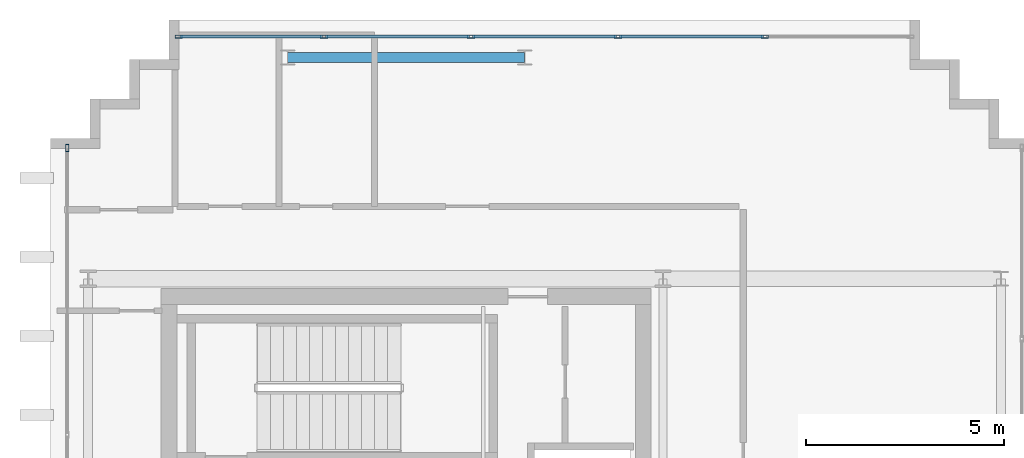
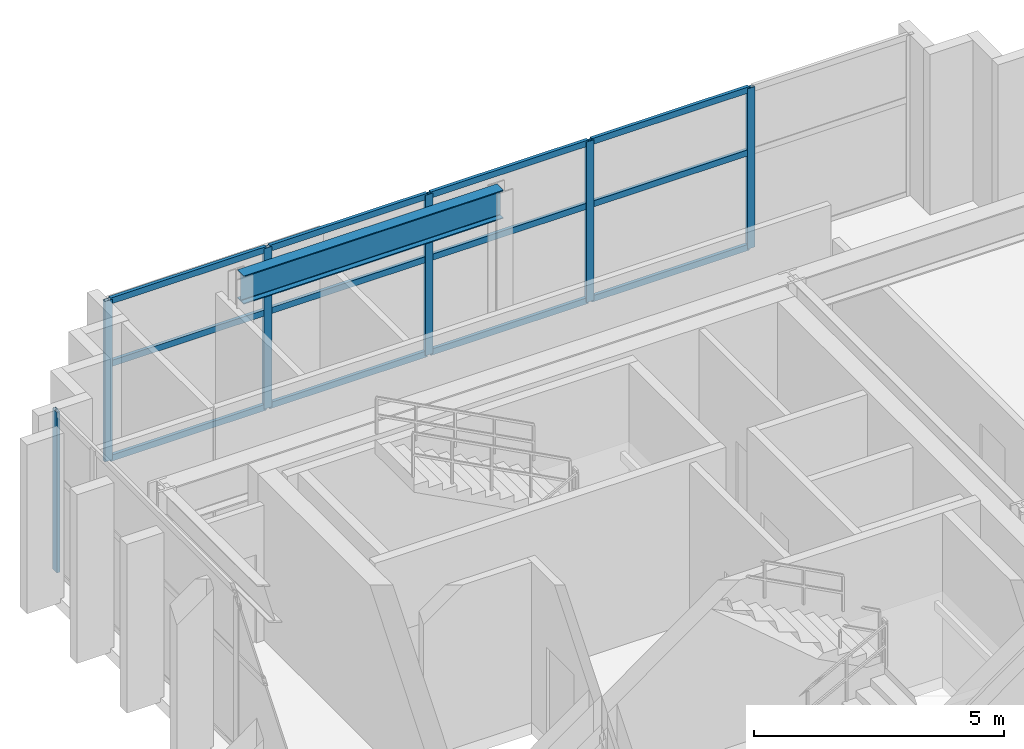
# One storey, part 8 of 14: 18 members, 1 beam, 2 elements without a shape of their own.
"""IFC4 building model written with IfcOpenShell, lengths in metres."""

from ifc_helpers import new_model, si_unit, direction, frame, origin, origin_2d, place, context, subcontext, project, spatial, hollow_rectangle, i_section, extrude, source, transform, mapped, material, layer, layer_set, material_profile, profile_set, type_object, element, aggregate, save


model = new_model("IFC4")

# Units and contexts
model_context = context("Model", 3, precision=1e-05, world=origin(), true_north=direction((0.0, 1.0)))
body_context = subcontext(model_context, "Body", "Model", "MODEL_VIEW")
ifc_project = project(units=[si_unit("LENGTHUNIT", "METRE"), si_unit("AREAUNIT", "SQUARE_METRE"), si_unit("VOLUMEUNIT", "CUBIC_METRE"), si_unit("PLANEANGLEUNIT", "RADIAN"), si_unit("MASSUNIT", "GRAM", prefix="KILO")], contexts=[model_context])

# Site, building, storey
site_placement = place(None, origin())
site = spatial("IfcSite", under=ifc_project, at=site_placement, CompositionType="ELEMENT")
building_placement = place(site_placement, origin())
building = spatial("IfcBuilding", under=site, at=building_placement, Name="Ocotamira Hotel", CompositionType="ELEMENT")
storey_placement = place(building_placement, frame((0.0, 0.0, 301.199951171875)))
storey = spatial("IfcBuildingStorey", under=building, at=storey_placement, Name="L77", CompositionType="ELEMENT", Elevation=301.199951171875)

# Beam
ifc_material_1 = material(Name="Steel ASTM A992 Grade 50", Category="steel")
ifc_material_profile_1 = material_profile(ifc_material_1, i_section(OverallWidth=0.256103515625, OverallDepth=0.693115234375, WebThickness=0.014404296875, FlangeThickness=0.023681640625, FilletRadius=0.01611328125, at=origin_2d()), Name="W27X114")
ifc_profile_set_1 = profile_set([ifc_material_profile_1], Name="Steel ASTM A992 Grade 50")
beam_type = type_object("IfcBeamType", Name="BM-PRIM-W27X114", PredefinedType="BEAM", material=ifc_profile_set_1)
shared_shape_1 = source(origin(), body_context, "Body", "SweptSolid", [
    extrude(i_section(OverallWidth=0.256103515625, OverallDepth=0.693115234375, WebThickness=0.014404296875, FlangeThickness=0.023681640625, FilletRadius=0.01611328125, at=origin_2d()), origin(), (0.0, 0.0, 1.0), 6.0),
])
beam_placement = place(storey_placement, frame((14.0, 43.050048828125, 3.573486328125), z_axis=(1.0, 0.0, 0.0), x_axis=(0.0, 1.0, 0.0)))
element("IfcBeam", 1, at=beam_placement, inside=storey, type_object=beam_type, Name="L77 Girder Y43.05 X14-20", PredefinedType="BEAM", context=body_context, shape_type="MappedRepresentation", body=[
    mapped(shared_shape_1, transform((0.0, 0.0, 0.0), scale=1.0)),
])

# Curtain wall, members
ifc_material_2 = material(Name="Anodised pale-metal aluminium and solar glass", Category="aluminium")
ifc_layer = layer(ifc_material_2, 0.2099609375)
ifc_layer_set = layer_set([ifc_layer], Name="Anodised pale-metal aluminium and solar glass")
curtain_wall_type = type_object("IfcCurtainWallType", Name="CW-SYS7-PEAK", PredefinedType="NOTDEFINED", material=ifc_layer_set)
curtain_wall_1_placement = place(storey_placement, origin())
curtain_wall_1 = element("IfcCurtainWall", 2, at=curtain_wall_1_placement, inside=storey, type_object=curtain_wall_type, Name="L77 Curtain Wall CW-7 CW-L77-N", PredefinedType="NOTDEFINED")
ifc_material_3 = material(Name="Anodised pale-metal aluminium 6063-T6", Category="aluminium")
ifc_material_profile_2 = material_profile(ifc_material_3, hollow_rectangle(XDim=0.074951171875, YDim=0.14990234375, WallThickness=0.006103515625, at=origin_2d()), Name="HSS150X75X6")
ifc_profile_set_2 = profile_set([ifc_material_profile_2], Name="Anodised pale-metal aluminium 6063-T6")
member_type_1 = type_object("IfcMemberType", Name="CWT-150X75", PredefinedType="USERDEFINED", material=ifc_profile_set_2)
shared_shape_2 = source(origin(), body_context, "Body", "SweptSolid", [
    extrude(hollow_rectangle(XDim=0.074951171875, YDim=0.14990234375, WallThickness=0.006103515625, at=origin_2d()), origin(), (0.0, 0.0, 1.0), 3.599853515625),
])
member_1_placement = place(storey_placement, frame((11.280029296875, 43.580078125, 0.03759765625), z_axis=(1.0, 0.0, 0.0), x_axis=(0.0, 1.0, 0.0)))
member_1 = element("IfcMember", 3, at=member_1_placement, type_object=member_type_1, Name="CW-7 transom 1.1", ObjectType="TRANSOM", PredefinedType="USERDEFINED", context=body_context, shape_type="MappedRepresentation", body=[
    mapped(shared_shape_2, transform((0.0, 0.0, 0.0), scale=1.0)),
])
member_2_placement = place(storey_placement, frame((11.280029296875, 43.580078125, 2.35009765625), z_axis=(1.0, 0.0, 0.0), x_axis=(0.0, 1.0, 0.0)))
member_2 = element("IfcMember", 4, at=member_2_placement, type_object=member_type_1, Name="CW-7 transom 1.2", ObjectType="TRANSOM", PredefinedType="USERDEFINED", context=body_context, shape_type="MappedRepresentation", body=[
    mapped(shared_shape_2, transform((0.0, 0.0, 0.0), scale=1.0)),
])
member_3_placement = place(storey_placement, frame((11.280029296875, 43.580078125, 3.882568359375), z_axis=(1.0, 0.0, 0.0), x_axis=(0.0, 1.0, 0.0)))
member_3 = element("IfcMember", 5, at=member_3_placement, type_object=member_type_1, Name="CW-7 transom 1.3", ObjectType="TRANSOM", PredefinedType="USERDEFINED", context=body_context, shape_type="MappedRepresentation", body=[
    mapped(shared_shape_2, transform((0.0, 0.0, 0.0), scale=1.0)),
])
shared_shape_3 = source(origin(), body_context, "Body", "SweptSolid", [
    extrude(hollow_rectangle(XDim=0.074951171875, YDim=0.14990234375, WallThickness=0.006103515625, at=origin_2d()), origin(), (0.0, 0.0, 1.0), 3.64013671875),
])
member_4_placement = place(storey_placement, frame((14.9599609375, 43.580078125, 0.03759765625), z_axis=(1.0, 0.0, 0.0), x_axis=(0.0, 1.0, 0.0)))
member_4 = element("IfcMember", 6, at=member_4_placement, type_object=member_type_1, Name="CW-7 transom 2.1", ObjectType="TRANSOM", PredefinedType="USERDEFINED", context=body_context, shape_type="MappedRepresentation", body=[
    mapped(shared_shape_3, transform((0.0, 0.0, 0.0), scale=1.0)),
])
member_5_placement = place(storey_placement, frame((14.9599609375, 43.580078125, 2.35009765625), z_axis=(1.0, 0.0, 0.0), x_axis=(0.0, 1.0, 0.0)))
member_5 = element("IfcMember", 7, at=member_5_placement, type_object=member_type_1, Name="CW-7 transom 2.2", ObjectType="TRANSOM", PredefinedType="USERDEFINED", context=body_context, shape_type="MappedRepresentation", body=[
    mapped(shared_shape_3, transform((0.0, 0.0, 0.0), scale=1.0)),
])
member_6_placement = place(storey_placement, frame((14.9599609375, 43.580078125, 3.882568359375), z_axis=(1.0, 0.0, 0.0), x_axis=(0.0, 1.0, 0.0)))
member_6 = element("IfcMember", 8, at=member_6_placement, type_object=member_type_1, Name="CW-7 transom 2.3", ObjectType="TRANSOM", PredefinedType="USERDEFINED", context=body_context, shape_type="MappedRepresentation", body=[
    mapped(shared_shape_3, transform((0.0, 0.0, 0.0), scale=1.0)),
])
member_7_placement = place(storey_placement, frame((18.679931640625, 43.580078125, 0.03759765625), z_axis=(1.0, 0.0, 0.0), x_axis=(0.0, 1.0, 0.0)))
member_7 = element("IfcMember", 9, at=member_7_placement, type_object=member_type_1, Name="CW-7 transom 3.1", ObjectType="TRANSOM", PredefinedType="USERDEFINED", context=body_context, shape_type="MappedRepresentation", body=[
    mapped(shared_shape_3, transform((0.0, 0.0, 0.0), scale=1.0)),
])
member_8_placement = place(storey_placement, frame((18.679931640625, 43.580078125, 2.35009765625), z_axis=(1.0, 0.0, 0.0), x_axis=(0.0, 1.0, 0.0)))
member_8 = element("IfcMember", 10, at=member_8_placement, type_object=member_type_1, Name="CW-7 transom 3.2", ObjectType="TRANSOM", PredefinedType="USERDEFINED", context=body_context, shape_type="MappedRepresentation", body=[
    mapped(shared_shape_3, transform((0.0, 0.0, 0.0), scale=1.0)),
])
member_9_placement = place(storey_placement, frame((18.679931640625, 43.580078125, 3.882568359375), z_axis=(1.0, 0.0, 0.0), x_axis=(0.0, 1.0, 0.0)))
member_9 = element("IfcMember", 11, at=member_9_placement, type_object=member_type_1, Name="CW-7 transom 3.3", ObjectType="TRANSOM", PredefinedType="USERDEFINED", context=body_context, shape_type="MappedRepresentation", body=[
    mapped(shared_shape_3, transform((0.0, 0.0, 0.0), scale=1.0)),
])
member_10_placement = place(storey_placement, frame((22.39990234375, 43.580078125, 0.03759765625), z_axis=(1.0, 0.0, 0.0), x_axis=(0.0, 1.0, 0.0)))
member_10 = element("IfcMember", 12, at=member_10_placement, type_object=member_type_1, Name="CW-7 transom 4.1", ObjectType="TRANSOM", PredefinedType="USERDEFINED", context=body_context, shape_type="MappedRepresentation", body=[
    mapped(shared_shape_3, transform((0.0, 0.0, 0.0), scale=1.0)),
])
member_11_placement = place(storey_placement, frame((22.39990234375, 43.580078125, 2.35009765625), z_axis=(1.0, 0.0, 0.0), x_axis=(0.0, 1.0, 0.0)))
member_11 = element("IfcMember", 13, at=member_11_placement, type_object=member_type_1, Name="CW-7 transom 4.2", ObjectType="TRANSOM", PredefinedType="USERDEFINED", context=body_context, shape_type="MappedRepresentation", body=[
    mapped(shared_shape_3, transform((0.0, 0.0, 0.0), scale=1.0)),
])
member_12_placement = place(storey_placement, frame((22.39990234375, 43.580078125, 3.882568359375), z_axis=(1.0, 0.0, 0.0), x_axis=(0.0, 1.0, 0.0)))
member_12 = element("IfcMember", 14, at=member_12_placement, type_object=member_type_1, Name="CW-7 transom 4.3", ObjectType="TRANSOM", PredefinedType="USERDEFINED", context=body_context, shape_type="MappedRepresentation", body=[
    mapped(shared_shape_3, transform((0.0, 0.0, 0.0), scale=1.0)),
])
ifc_material_profile_3 = material_profile(ifc_material_3, hollow_rectangle(XDim=0.080078125, YDim=0.179931640625, WallThickness=0.006103515625, at=origin_2d()), Name="HSS180X80X6")
ifc_profile_set_3 = profile_set([ifc_material_profile_3], Name="Anodised pale-metal aluminium 6063-T6")
member_type_2 = type_object("IfcMemberType", Name="CWM-180X75", PredefinedType="MULLION", material=ifc_profile_set_3)
shared_shape_4 = source(origin(), body_context, "Body", "SweptSolid", [
    extrude(hollow_rectangle(XDim=0.080078125, YDim=0.179931640625, WallThickness=0.006103515625, at=origin_2d()), origin(), (0.0, 0.0, 1.0), 3.920166015625),
])
member_13_placement = place(storey_placement, frame((11.239990234375, 43.580078125, 0.0), z_axis=(0.0, 0.0, 1.0), x_axis=(0.0, 1.0, 0.0)))
member_13 = element("IfcMember", 15, at=member_13_placement, type_object=member_type_2, Name="CW-7 mullion 1", PredefinedType="MULLION", context=body_context, shape_type="MappedRepresentation", body=[
    mapped(shared_shape_4, transform((0.0, 0.0, 0.0), scale=1.0)),
])
member_14_placement = place(storey_placement, frame((14.919921875, 43.580078125, 0.0), z_axis=(0.0, 0.0, 1.0), x_axis=(0.0, 1.0, 0.0)))
member_14 = element("IfcMember", 16, at=member_14_placement, type_object=member_type_2, Name="CW-7 mullion 2", PredefinedType="MULLION", context=body_context, shape_type="MappedRepresentation", body=[
    mapped(shared_shape_4, transform((0.0, 0.0, 0.0), scale=1.0)),
])
member_15_placement = place(storey_placement, frame((18.639892578125, 43.580078125, 0.0), z_axis=(0.0, 0.0, 1.0), x_axis=(0.0, 1.0, 0.0)))
member_15 = element("IfcMember", 17, at=member_15_placement, type_object=member_type_2, Name="CW-7 mullion 3", PredefinedType="MULLION", context=body_context, shape_type="MappedRepresentation", body=[
    mapped(shared_shape_4, transform((0.0, 0.0, 0.0), scale=1.0)),
])
member_16_placement = place(storey_placement, frame((22.360107421875, 43.580078125, 0.0), z_axis=(0.0, 0.0, 1.0), x_axis=(0.0, 1.0, 0.0)))
member_16 = element("IfcMember", 18, at=member_16_placement, type_object=member_type_2, Name="CW-7 mullion 4", PredefinedType="MULLION", context=body_context, shape_type="MappedRepresentation", body=[
    mapped(shared_shape_4, transform((0.0, 0.0, 0.0), scale=1.0)),
])
member_17_placement = place(storey_placement, frame((26.080078125, 43.580078125, 0.0), z_axis=(0.0, 0.0, 1.0), x_axis=(0.0, 1.0, 0.0)))
member_17 = element("IfcMember", 19, at=member_17_placement, type_object=member_type_2, Name="CW-7 mullion 5", PredefinedType="MULLION", context=body_context, shape_type="MappedRepresentation", body=[
    mapped(shared_shape_4, transform((0.0, 0.0, 0.0), scale=1.0)),
])
aggregate(curtain_wall_1, [member_13, member_14, member_15, member_16, member_17, member_1, member_2, member_3, member_4, member_5, member_6, member_7, member_8, member_9, member_10, member_11, member_12])

# Curtain wall, member
curtain_wall_2_placement = place(storey_placement, origin())
curtain_wall_2 = element("IfcCurtainWall", 20, at=curtain_wall_2_placement, inside=storey, type_object=curtain_wall_type, Name="L77 Curtain Wall CW-7 CW-L77-W2", PredefinedType="NOTDEFINED")
member_18_placement = place(storey_placement, frame((8.419921875, 40.760009765625, 0.0), z_axis=(0.0, 0.0, 1.0), x_axis=(-1.0, 0.0, 0.0)))
member_18 = element("IfcMember", 21, at=member_18_placement, type_object=member_type_2, Name="CW-7 mullion 3", PredefinedType="MULLION", context=body_context, shape_type="MappedRepresentation", body=[
    mapped(shared_shape_4, transform((0.0, 0.0, 0.0), scale=1.0)),
])
aggregate(curtain_wall_2, [member_18])

save(model, "model.ifc")
